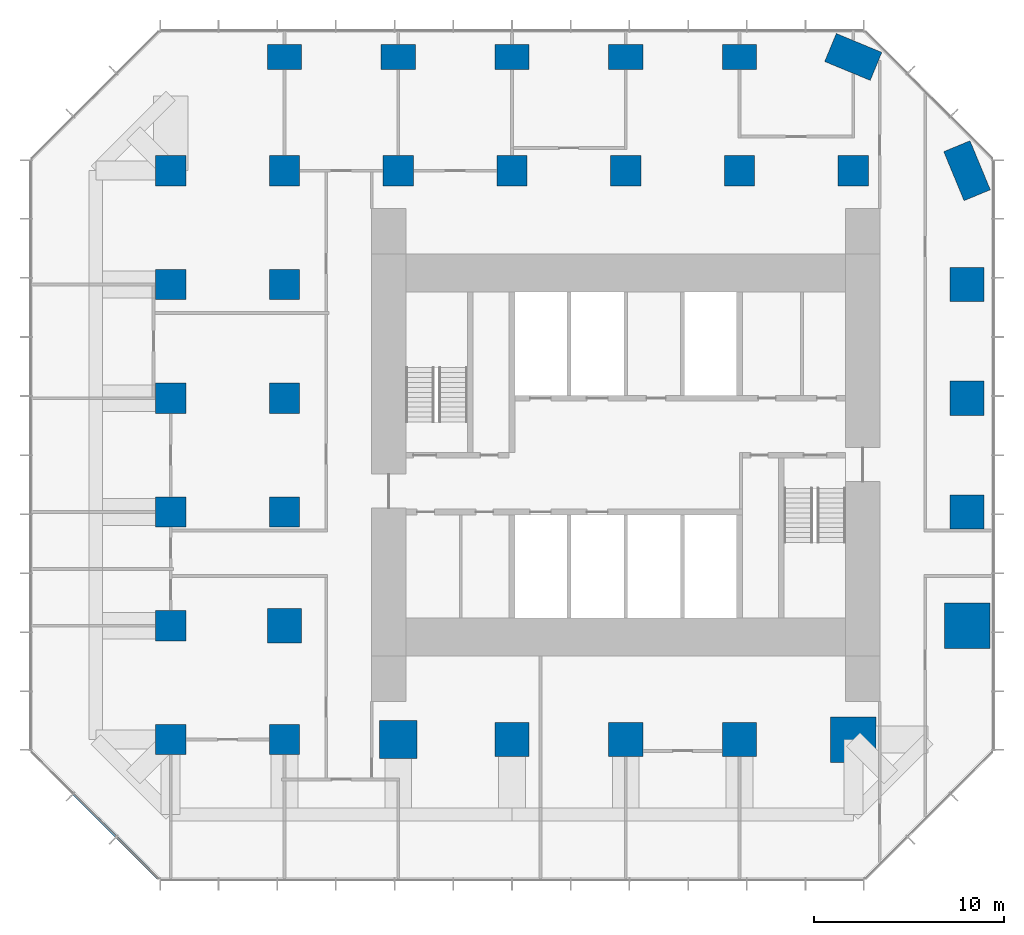
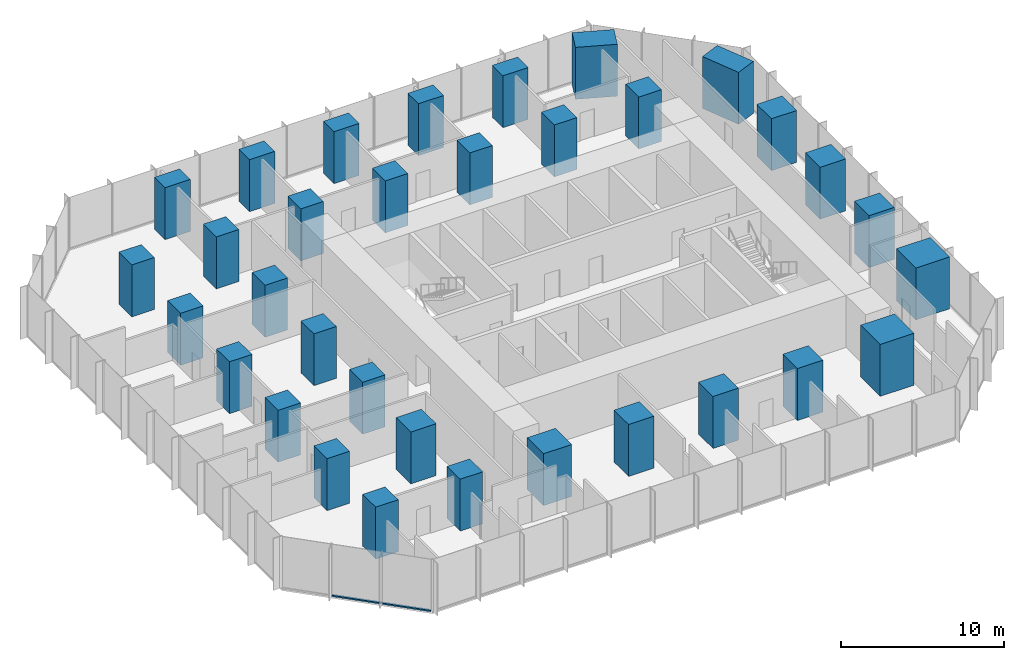
# One storey, part 1 of 11: 33 columns, 2 members, 1 element without a shape of its own.
"""IFC4 building model written with IfcOpenShell, lengths in metres."""

from ifc_helpers import new_model, si_unit, direction, frame, origin, origin_2d, place, context, subcontext, project, spatial, rectangle, extrude, material, layer, layer_set, material_profile, profile_set, type_object, element, aggregate, save


model = new_model("IFC4")

# Units and contexts
model_context = context("Model", 3, precision=1e-05, world=origin(), true_north=direction((0.0, 1.0)))
body_context = subcontext(model_context, "Body", "Model", "MODEL_VIEW")
ifc_project = project(units=[si_unit("LENGTHUNIT", "METRE"), si_unit("AREAUNIT", "SQUARE_METRE"), si_unit("VOLUMEUNIT", "CUBIC_METRE"), si_unit("PLANEANGLEUNIT", "RADIAN"), si_unit("MASSUNIT", "GRAM", prefix="KILO")], contexts=[model_context])

# Site, building, storey
site_placement = place(None, origin())
site = spatial("IfcSite", under=ifc_project, at=site_placement, CompositionType="ELEMENT")
building_placement = place(site_placement, origin())
building = spatial("IfcBuilding", under=site, at=building_placement, Name="Highveld Stack Headquarters", CompositionType="ELEMENT")
storey_placement = place(building_placement, frame((0.0, 0.0, 121.10009765625)))
storey = spatial("IfcBuildingStorey", under=building, at=storey_placement, Name="L29", CompositionType="ELEMENT", Elevation=121.10009765625)

# Columns
ifc_material_1 = material(Name="Concrete C60/75", Category="concrete")
ifc_material_profile_1 = material_profile(ifc_material_1, rectangle(XDim=1.60009765625, YDim=1.60009765625, at=origin_2d()), Name="RC 1600x1600")
ifc_profile_set_1 = profile_set([ifc_material_profile_1], Name="Concrete C60/75")
column_type_1 = type_object("IfcColumnType", Name="COLUMN RC 1600x1600 C60/75", PredefinedType="COLUMN", material=ifc_profile_set_1)
for number, where, z_axis, x_axis, name in (
    (1, (-18.0, -12.0, 0.0), (0.0, 0.0, 1.0), (1.0, 0.0, 0.0), "Column 3/C L29"),
    (2, (-18.0, -6.0, 0.0), (0.0, 0.0, 1.0), (1.0, 0.0, 0.0), "Column 3/D L29"),
    (3, (-18.0, 0.0, 0.0), (0.0, 0.0, 1.0), (1.0, 0.0, 0.0), "Column 3/E L29"),
    (4, (-18.0, 6.0, 0.0), (0.0, 0.0, 1.0), (1.0, 0.0, 0.0), "Column 3/F L29"),
    (5, (-18.0, 12.0, 0.0), (0.0, 0.0, 1.0), (1.0, 0.0, 0.0), "Column 3/G L29"),
    (6, (-18.0, 18.0, 0.0), (0.0, 0.0, 1.0), (1.0, 0.0, 0.0), "Column 3/H L29"),
    (7, (-12.0, -12.0, 0.0), (0.0, 0.0, 1.0), (1.0, 0.0, 0.0), "Column 4/C L29"),
    (8, (-12.0, 0.0, 0.0), (0.0, 0.0, 1.0), (1.0, 0.0, 0.0), "Column 4/E L29"),
    (9, (-12.0, 6.0, 0.0), (0.0, 0.0, 1.0), (1.0, 0.0, 0.0), "Column 4/F L29"),
    (10, (-12.0, 12.0, 0.0), (0.0, 0.0, 1.0), (1.0, 0.0, 0.0), "Column 4/G L29"),
    (11, (-12.0, 18.0, 0.0), (0.0, 0.0, 1.0), (1.0, 0.0, 0.0), "Column 4/H L29"),
    (12, (-6.0, 18.0, 0.0), (0.0, 0.0, 1.0), (1.0, 0.0, 0.0), "Column 5/H L29"),
    (13, (0.0, 18.0, 0.0), (0.0, 0.0, 1.0), (1.0, 0.0, 0.0), "Column 6/H L29"),
    (14, (6.0, 18.0, 0.0), (0.0, 0.0, 1.0), (1.0, 0.0, 0.0), "Column 7/H L29"),
    (15, (12.0, 18.0, 0.0), (0.0, 0.0, 1.0), (1.0, 0.0, 0.0), "Column 8/H L29"),
    (16, (18.0, 18.0, 0.0), (0.0, 0.0, 1.0), (1.0, 0.0, 0.0), "Column 9/H L29"),
):
    element("IfcColumn", number, at=place(storey_placement, frame(where, z_axis=z_axis, x_axis=x_axis)), inside=storey, type_object=column_type_1, Name=name, PredefinedType="COLUMN", context=body_context, shape_type="SweptSolid", body=[
        extrude(rectangle(XDim=1.60009765625, YDim=1.60009765625, at=origin_2d()), origin(), (0.0, 0.0, 1.0), 3.89990234375),
    ])
ifc_material_2 = material(Name="Concrete C60/75", Category="concrete")
ifc_material_profile_2 = material_profile(ifc_material_2, rectangle(XDim=1.800048828125, YDim=1.300048828125, at=origin_2d()), Name="RC 1800x1300")
ifc_profile_set_2 = profile_set([ifc_material_profile_2], Name="Concrete C60/75")
column_type_2 = type_object("IfcColumnType", Name="COLUMN RC 1800x1300 C60/75", PredefinedType="COLUMN", material=ifc_profile_set_2)
for number, where, z_axis, x_axis, name in (
    (17, (-12.0, 24.0, 0.0), (0.0, 0.0, 1.0), (1.0, 0.0, 0.0), "Column 4/J L29"),
    (18, (-6.0, 24.0, 0.0), (0.0, 0.0, 1.0), (1.0, 0.0, 0.0), "Column 5/J L29"),
    (19, (0.0, 24.0, 0.0), (0.0, 0.0, 1.0), (1.0, 0.0, 0.0), "Column 6/J L29"),
    (20, (6.0, 24.0, 0.0), (0.0, 0.0, 1.0), (1.0, 0.0, 0.0), "Column 7/J L29"),
    (21, (12.0, 24.0, 0.0), (0.0, 0.0, 1.0), (1.0, 0.0, 0.0), "Column 8/J L29"),
):
    element("IfcColumn", number, at=place(storey_placement, frame(where, z_axis=z_axis, x_axis=x_axis)), inside=storey, type_object=column_type_2, Name=name, PredefinedType="COLUMN", context=body_context, shape_type="SweptSolid", body=[
        extrude(rectangle(XDim=1.800048828125, YDim=1.300048828125, at=origin_2d()), origin(), (0.0, 0.0, 1.0), 3.89990234375),
    ])
ifc_material_3 = material(Name="Concrete C60/75", Category="concrete")
ifc_material_profile_3 = material_profile(ifc_material_3, rectangle(XDim=1.800048828125, YDim=1.800048828125, at=origin_2d()), Name="RC 1800x1800")
ifc_profile_set_3 = profile_set([ifc_material_profile_3], Name="Concrete C60/75")
column_type_3 = type_object("IfcColumnType", Name="COLUMN RC 1800x1800 C60/75", PredefinedType="COLUMN", material=ifc_profile_set_3)
for number, where, z_axis, x_axis, name in (
    (22, (-12.0, -6.0, 0.0), (0.0, 0.0, 1.0), (1.0, 0.0, 0.0), "Column 4/D L29"),
    (23, (0.0, -12.0, 0.0), (0.0, 0.0, 1.0), (1.0, 0.0, 0.0), "Column 6/C L29"),
    (24, (6.0, -12.0, 0.0), (0.0, 0.0, 1.0), (1.0, 0.0, 0.0), "Column 7/C L29"),
    (25, (12.0, -12.0, 0.0), (0.0, 0.0, 1.0), (1.0, 0.0, 0.0), "Column 8/C L29"),
    (26, (24.0, 0.0, 0.0), (0.0, 0.0, 1.0), (1.0, 0.0, 0.0), "Column 10/E L29"),
    (27, (24.0, 6.0, 0.0), (0.0, 0.0, 1.0), (1.0, 0.0, 0.0), "Column 10/F L29"),
    (28, (24.0, 12.0, 0.0), (0.0, 0.0, 1.0), (1.0, 0.0, 0.0), "Column 10/G L29"),
):
    element("IfcColumn", number, at=place(storey_placement, frame(where, z_axis=z_axis, x_axis=x_axis)), inside=storey, type_object=column_type_3, Name=name, PredefinedType="COLUMN", context=body_context, shape_type="SweptSolid", body=[
        extrude(rectangle(XDim=1.800048828125, YDim=1.800048828125, at=origin_2d()), origin(), (0.0, 0.0, 1.0), 3.89990234375),
    ])
ifc_material_4 = material(Name="Concrete C60/75", Category="concrete")
ifc_material_profile_4 = material_profile(ifc_material_4, rectangle(XDim=2.0, YDim=2.0, at=origin_2d()), Name="RC 2000x2000")
ifc_profile_set_4 = profile_set([ifc_material_profile_4], Name="Concrete C60/75")
column_type_4 = type_object("IfcColumnType", Name="COLUMN RC 2000x2000 C60/75", PredefinedType="COLUMN", material=ifc_profile_set_4)
column_1_placement = place(storey_placement, frame((-6.0, -12.0, 0.0), z_axis=(0.0, 0.0, 1.0), x_axis=(1.0, 0.0, 0.0)))
element("IfcColumn", 29, at=column_1_placement, inside=storey, type_object=column_type_4, Name="Column 5/C L29", PredefinedType="COLUMN", context=body_context, shape_type="SweptSolid", body=[
    extrude(rectangle(XDim=2.0, YDim=2.0, at=origin_2d()), origin(), (0.0, 0.0, 1.0), 3.89990234375),
])
ifc_material_5 = material(Name="Concrete C60/75", Category="concrete")
ifc_material_profile_5 = material_profile(ifc_material_5, rectangle(XDim=2.39990234375, YDim=2.39990234375, at=origin_2d()), Name="RC 2400x2400")
ifc_profile_set_5 = profile_set([ifc_material_profile_5], Name="Concrete C60/75")
column_type_5 = type_object("IfcColumnType", Name="COLUMN RC 2400x2400 C60/75", PredefinedType="COLUMN", material=ifc_profile_set_5)
for number, where, z_axis, x_axis, name in (
    (30, (18.0, -12.0, 0.0), (0.0, 0.0, 1.0), (1.0, 0.0, 0.0), "Column 9/C L29"),
    (31, (24.0, -6.0, 0.0), (0.0, 0.0, 1.0), (1.0, 0.0, 0.0), "Column 10/D L29"),
):
    element("IfcColumn", number, at=place(storey_placement, frame(where, z_axis=z_axis, x_axis=x_axis)), inside=storey, type_object=column_type_5, Name=name, PredefinedType="COLUMN", context=body_context, shape_type="SweptSolid", body=[
        extrude(rectangle(XDim=2.39990234375, YDim=2.39990234375, at=origin_2d()), origin(), (0.0, 0.0, 1.0), 3.89990234375),
    ])
ifc_material_6 = material(Name="Concrete C60/75", Category="concrete")
ifc_material_profile_6 = material_profile(ifc_material_6, rectangle(XDim=2.60009765625, YDim=1.60009765625, at=origin_2d()), Name="RC 2600x1600")
ifc_profile_set_6 = profile_set([ifc_material_profile_6], Name="Concrete C60/75")
column_type_6 = type_object("IfcColumnType", Name="COLUMN RC 2600x1600 C60/75", PredefinedType="COLUMN", material=ifc_profile_set_6)
column_2_placement = place(storey_placement, frame((18.0, 24.0, 0.0), z_axis=(0.0, 0.0, 1.0), x_axis=(0.923879532511, -0.382683432365, 0.0)))
element("IfcColumn", 32, at=column_2_placement, inside=storey, type_object=column_type_6, Name="Column 9/J L29", PredefinedType="COLUMN", context=body_context, shape_type="SweptSolid", body=[
    extrude(rectangle(XDim=2.60009765625, YDim=1.60009765625, at=origin_2d()), origin(), (0.0, 0.0, 1.0), 3.89990234375),
])
ifc_material_7 = material(Name="Concrete C60/75", Category="concrete")
ifc_material_profile_7 = material_profile(ifc_material_7, rectangle(XDim=2.800048828125, YDim=1.5, at=origin_2d()), Name="RC 2800x1500")
ifc_profile_set_7 = profile_set([ifc_material_profile_7], Name="Concrete C60/75")
column_type_7 = type_object("IfcColumnType", Name="COLUMN RC 2800x1500 C60/75", PredefinedType="COLUMN", material=ifc_profile_set_7)
column_3_placement = place(storey_placement, frame((24.0, 18.0, 0.0), z_axis=(0.0, 0.0, 1.0), x_axis=(0.382683432365, -0.923879532511, 0.0)))
element("IfcColumn", 33, at=column_3_placement, inside=storey, type_object=column_type_7, Name="Column 10/H L29", PredefinedType="COLUMN", context=body_context, shape_type="SweptSolid", body=[
    extrude(rectangle(XDim=2.800048828125, YDim=1.5, at=origin_2d()), origin(), (0.0, 0.0, 1.0), 3.89990234375),
])

# Curtain wall, members
ifc_material_8 = material(Name="Aluminium bronze anodised", Category="aluminium")
ifc_layer = layer(ifc_material_8, 0.199951171875)
ifc_layer_set = layer_set([ifc_layer], Name="Aluminium bronze anodised")
curtain_wall_type = type_object("IfcCurtainWallType", Name="CW2 TOWER CHAMFER UNITISED CURTAIN WALL", PredefinedType="NOTDEFINED", material=ifc_layer_set)
curtain_wall_placement = place(storey_placement, origin())
curtain_wall = element("IfcCurtainWall", 34, at=curtain_wall_placement, inside=storey, type_object=curtain_wall_type, Name="Curtain wall CW2 L29 SW", PredefinedType="NOTDEFINED")
ifc_material_9 = material(Name="Aluminium bronze anodised", Category="aluminium")
ifc_material_profile_8 = material_profile(ifc_material_9, rectangle(XDim=0.14990234375, YDim=0.10009765625, at=origin_2d()), Name="CW2 TRANSOM 150x100")
ifc_profile_set_8 = profile_set([ifc_material_profile_8], Name="Aluminium bronze anodised")
member_type = type_object("IfcMemberType", Name="CW2 STACK TRANSOM 150x100", PredefinedType="USERDEFINED", material=ifc_profile_set_8)
member_1_placement = place(storey_placement, frame((-23.103759765625, -14.876220703125, 0.0498046875), z_axis=(0.707106781187, -0.707106781187, 0.0), x_axis=(0.707106781187, 0.707106781187, 0.0)))
member_1 = element("IfcMember", 35, at=member_1_placement, type_object=member_type, Name="CW2 transom L29 2.1", ObjectType="TRANSOM", PredefinedType="USERDEFINED", context=body_context, shape_type="SweptSolid", body=[
    extrude(rectangle(XDim=0.14990234375, YDim=0.10009765625, at=origin_2d()), origin(), (0.0, 0.0, 1.0), 3.150146484375),
])
member_2_placement = place(storey_placement, frame((-20.830322265625, -17.149658203125, 0.0498046875), z_axis=(0.707106781187, -0.707106781187, 0.0), x_axis=(0.707106781187, 0.707106781187, 0.0)))
member_2 = element("IfcMember", 36, at=member_2_placement, type_object=member_type, Name="CW2 transom L29 3.1", ObjectType="TRANSOM", PredefinedType="USERDEFINED", context=body_context, shape_type="SweptSolid", body=[
    extrude(rectangle(XDim=0.14990234375, YDim=0.10009765625, at=origin_2d()), origin(), (0.0, 0.0, 1.0), 3.08251953125),
])
aggregate(curtain_wall, [member_1, member_2])

save(model, "model.ifc")
